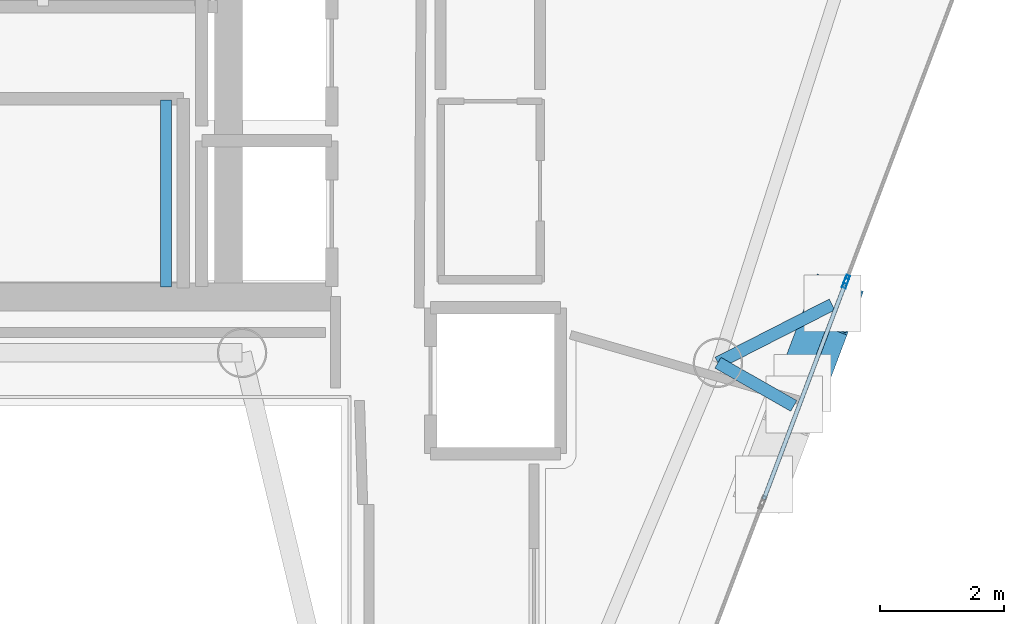
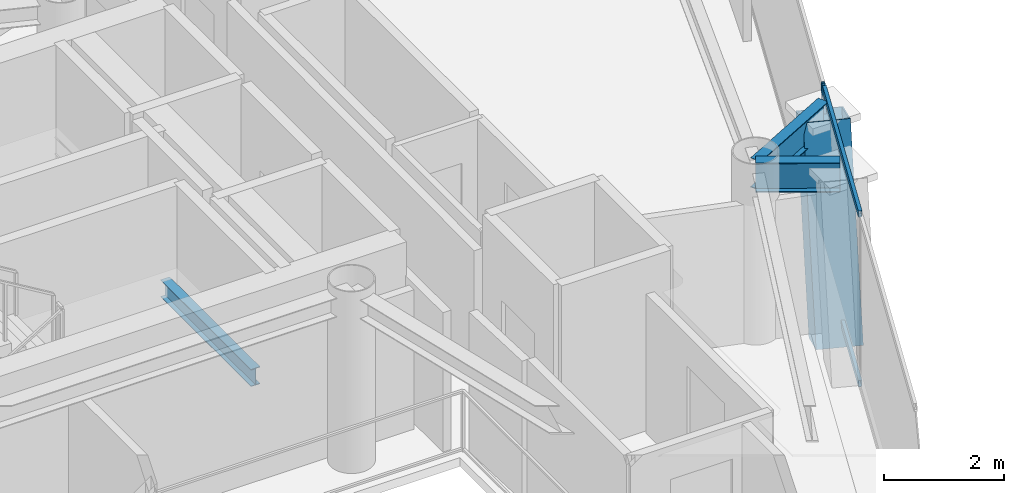
# One storey, part 10 of 19: 5 members, 3 beams, 2 elements without a shape of their own.
"""IFC4 building model written with IfcOpenShell, lengths in metres."""

from ifc_helpers import new_model, si_unit, direction, frame, origin, origin_2d, place, context, subcontext, project, spatial, hollow_rectangle, i_section, extrude, material, layer, layer_set, material_profile, profile_set, type_object, element, aggregate, save


model = new_model("IFC4")

# Units and contexts
model_context = context("Model", 3, precision=1e-05, world=origin(), true_north=direction((0.0, 1.0)))
body_context = subcontext(model_context, "Body", "Model", "MODEL_VIEW")
ifc_project = project(units=[si_unit("LENGTHUNIT", "METRE"), si_unit("AREAUNIT", "SQUARE_METRE"), si_unit("VOLUMEUNIT", "CUBIC_METRE"), si_unit("PLANEANGLEUNIT", "RADIAN"), si_unit("MASSUNIT", "GRAM", prefix="KILO")], contexts=[model_context])

# Site, building, storey
site_placement = place(None, origin())
site = spatial("IfcSite", under=ifc_project, at=site_placement, CompositionType="ELEMENT")
building_placement = place(site_placement, origin())
building = spatial("IfcBuilding", under=site, at=building_placement, Name="Qianvela Tower", CompositionType="ELEMENT")
storey_placement = place(building_placement, frame((0.0, 0.0, 340.699951171875)))
storey = spatial("IfcBuildingStorey", under=building, at=storey_placement, Name="L88", CompositionType="ELEMENT", Elevation=340.699951171875)

# Beams
ifc_material_1 = material(Name="Steel Q355B", Category="steel")
ifc_material_profile_1 = material_profile(ifc_material_1, i_section(OverallWidth=0.175048828125, OverallDepth=0.35009765625, WebThickness=0.007080078125, FlangeThickness=0.010986328125, at=origin_2d()), Name="HN350x175x7x11")
ifc_profile_set_1 = profile_set([ifc_material_profile_1], Name="Steel Q355B")
beam_type_1 = type_object("IfcBeamType", Name="BM-HN350-JOIST", PredefinedType="JOIST", material=ifc_profile_set_1)
beam_1_placement = place(storey_placement, frame((37.169921875, 24.919921875, 1.47509765625), z_axis=(0.0, 1.0, 0.0), x_axis=(-1.0, 0.0, 0.0)))
element("IfcBeam", 1, at=beam_1_placement, inside=storey, type_object=beam_type_1, Name="L88 Stair ST-2 Landing Support Beam 1.2", PredefinedType="JOIST", context=body_context, shape_type="SweptSolid", body=[
    extrude(i_section(OverallWidth=0.175048828125, OverallDepth=0.35009765625, WebThickness=0.007080078125, FlangeThickness=0.010986328125, at=origin_2d()), origin(), (0.0, 0.0, 1.0), 3.02001953125),
])
ifc_material_2 = material(Name="Steel Q355B", Category="steel")
ifc_material_profile_2 = material_profile(ifc_material_2, i_section(OverallWidth=0.199951171875, OverallDepth=0.60009765625, WebThickness=0.010986328125, FlangeThickness=0.01708984375, at=origin_2d()), Name="HN600x200x11x17")
ifc_profile_set_2 = profile_set([ifc_material_profile_2], Name="Steel Q355B")
beam_type_2 = type_object("IfcBeamType", Name="BM-HN600-GIRD", PredefinedType="BEAM", material=ifc_profile_set_2)
beam_2_placement = place(storey_placement, frame((46.094970703125, 23.69091796875, 3.218017578125), z_axis=(0.868998328461, -0.494815021125, 0.0), x_axis=(0.494815021125, 0.868998328461, 0.0)))
element("IfcBeam", 2, at=beam_2_placement, inside=storey, type_object=beam_type_2, Name="L88 Mega-Brace Column Tie Bracket F3-1", PredefinedType="BEAM", context=body_context, shape_type="SweptSolid", body=[
    extrude(i_section(OverallWidth=0.199951171875, OverallDepth=0.60009765625, WebThickness=0.010986328125, FlangeThickness=0.01708984375, at=origin_2d()), origin(), (0.0, 0.0, 1.0), 1.41064453125),
])
beam_3_placement = place(storey_placement, frame((46.094970703125, 23.69091796875, 3.218017578125), z_axis=(0.890719998734, 0.45455239946, 0.0), x_axis=(-0.45455239946, 0.890719998734, 0.0)))
element("IfcBeam", 3, at=beam_3_placement, inside=storey, type_object=beam_type_2, Name="L88 Mega-Brace Column Tie Bracket F3-2", PredefinedType="BEAM", context=body_context, shape_type="SweptSolid", body=[
    extrude(i_section(OverallWidth=0.199951171875, OverallDepth=0.60009765625, WebThickness=0.010986328125, FlangeThickness=0.01708984375, at=origin_2d()), origin(), (0.0, 0.0, 1.0), 2.071533203125),
])

# Curtain wall, members
ifc_material_3 = material(Name="Anodised Architectural Aluminium and Insulated Spandrel Panel", Category="aluminium")
ifc_layer_1 = layer(ifc_material_3, 0.179931640625)
ifc_layer_set_1 = layer_set([ifc_layer_1], Name="Anodised Architectural Aluminium and Insulated Spandrel Panel")
curtain_wall_type_1 = type_object("IfcCurtainWallType", Name="CW-BRACEBAY", PredefinedType="USERDEFINED", material=ifc_layer_set_1)
curtain_wall_1_placement = place(storey_placement, origin())
curtain_wall_1 = element("IfcCurtainWall", 4, at=curtain_wall_1_placement, inside=storey, type_object=curtain_wall_type_1, Name="L88 CW-BRACEBAY Curtain Wall 06B", ObjectType="CURTAIN_WALL_SYSTEM", PredefinedType="USERDEFINED")
ifc_material_4 = material(Name="Anodised Architectural Aluminium 6063-T6", Category="aluminium")
ifc_material_profile_3 = material_profile(ifc_material_4, hollow_rectangle(XDim=0.06494140625, YDim=0.159912109375, WallThickness=0.0048828125, at=origin_2d()), Name="ALU-MULL-65x160")
ifc_profile_set_3 = profile_set([ifc_material_profile_3], Name="Anodised Architectural Aluminium 6063-T6")
member_type_1 = type_object("IfcMemberType", Name="CW-BRACEBAY-MULL", PredefinedType="MULLION", material=ifc_profile_set_3)
member_1_placement = place(storey_placement, frame((48.155517578125, 24.97705078125, 0.0), z_axis=(0.0, 0.0, 1.0), x_axis=(-0.935525215794, 0.353259919343, 0.0)))
member_1 = element("IfcMember", 5, at=member_1_placement, type_object=member_type_1, Name="CW-9 mullion 2", PredefinedType="MULLION", context=body_context, shape_type="SweptSolid", body=[
    extrude(hollow_rectangle(XDim=0.06494140625, YDim=0.159912109375, WallThickness=0.0048828125, at=origin_2d()), origin(), (0.0, 0.0, 1.0), 3.52001953125),
])
ifc_material_5 = material(Name="Anodised Architectural Aluminium 6063-T6", Category="aluminium")
ifc_material_profile_4 = material_profile(ifc_material_5, hollow_rectangle(XDim=0.06494140625, YDim=0.1298828125, WallThickness=0.00439453125, at=origin_2d()), Name="ALU-TRAN-65x130")
ifc_profile_set_4 = profile_set([ifc_material_profile_4], Name="Anodised Architectural Aluminium 6063-T6")
member_type_2 = type_object("IfcMemberType", Name="CW-BRACEBAY-TRAN", PredefinedType="USERDEFINED", material=ifc_profile_set_4)
member_2_placement = place(storey_placement, frame((46.837158203125, 21.485107421875, 0.032470703125), z_axis=(0.35321962991, 0.935540428333, 0.0), x_axis=(-0.935540428333, 0.35321962991, 0.0)))
member_2 = element("IfcMember", 6, at=member_2_placement, type_object=member_type_2, Name="CW-9 transom 1.1", ObjectType="TRANSOM", PredefinedType="USERDEFINED", context=body_context, shape_type="SweptSolid", body=[
    extrude(hollow_rectangle(XDim=0.06494140625, YDim=0.1298828125, WallThickness=0.00439453125, at=origin_2d()), origin(), (0.0, 0.0, 1.0), 3.699951171875),
])
member_3_placement = place(storey_placement, frame((46.837158203125, 21.485107421875, 3.487548828125), z_axis=(0.35321962991, 0.935540428333, 0.0), x_axis=(-0.935540428333, 0.35321962991, 0.0)))
member_3 = element("IfcMember", 7, at=member_3_placement, type_object=member_type_2, Name="CW-9 transom 1.2", ObjectType="TRANSOM", PredefinedType="USERDEFINED", context=body_context, shape_type="SweptSolid", body=[
    extrude(hollow_rectangle(XDim=0.06494140625, YDim=0.1298828125, WallThickness=0.00439453125, at=origin_2d()), origin(), (0.0, 0.0, 1.0), 3.699951171875),
])
aggregate(curtain_wall_1, [member_1, member_2, member_3])

# Curtain wall, member
ifc_material_6 = material(Name="Anodised Architectural Aluminium and Low-E Glass", Category="aluminium")
ifc_layer_2 = layer(ifc_material_6, 0.14990234375)
ifc_layer_set_2 = layer_set([ifc_layer_2], Name="Anodised Architectural Aluminium and Low-E Glass")
curtain_wall_type_2 = type_object("IfcCurtainWallType", Name="CW-COLIV-Z78", PredefinedType="USERDEFINED", material=ifc_layer_set_2)
curtain_wall_2_placement = place(storey_placement, origin())
curtain_wall_2 = element("IfcCurtainWall", 8, at=curtain_wall_2_placement, inside=storey, type_object=curtain_wall_type_2, Name="L88 CW-COLIV-Z78 Curtain Wall 06C", ObjectType="CURTAIN_WALL_SYSTEM", PredefinedType="USERDEFINED")
ifc_material_7 = material(Name="Anodised Architectural Aluminium 6063-T6", Category="aluminium")
ifc_material_profile_5 = material_profile(ifc_material_7, hollow_rectangle(XDim=0.06005859375, YDim=0.139892578125, WallThickness=0.00439453125, at=origin_2d()), Name="ALU-MULL-60x140")
ifc_profile_set_5 = profile_set([ifc_material_profile_5], Name="Anodised Architectural Aluminium 6063-T6")
member_type_3 = type_object("IfcMemberType", Name="CW-COLIV-Z78-MULL", PredefinedType="MULLION", material=ifc_profile_set_5)
member_4_placement = place(storey_placement, frame((48.177734375, 25.035400390625, 0.0), z_axis=(0.0, 0.0, 1.0), x_axis=(-0.935524249772, 0.353262477612, 0.0)))
member_4 = element("IfcMember", 9, at=member_4_placement, type_object=member_type_3, Name="CW-6 mullion 1", PredefinedType="MULLION", context=body_context, shape_type="SweptSolid", body=[
    extrude(hollow_rectangle(XDim=0.06005859375, YDim=0.139892578125, WallThickness=0.00439453125, at=origin_2d()), origin(), (0.0, 0.0, 1.0), 3.52001953125),
])
aggregate(curtain_wall_2, [member_4])

# Member
ifc_material_8 = material(Name="Steel Q420GJC", Category="steel")
ifc_material_profile_6 = material_profile(ifc_material_8, hollow_rectangle(XDim=0.800048828125, YDim=0.800048828125, WallThickness=0.028076171875, at=origin_2d()), Name="MBOX-800x800x28")
ifc_profile_set_6 = profile_set([ifc_material_profile_6], Name="Steel Q420GJC")
member_type_4 = type_object("IfcMemberType", Name="MBR-MBRACE-800", PredefinedType="BRACE", material=ifc_profile_set_6)
member_5_placement = place(storey_placement, frame((47.4677734375, 23.3818359375, -0.48193359375), z_axis=(0.120081365333, 0.317920844755, 0.940482217892), x_axis=(-0.935493556502, 0.353343750113, 0.0)))
element("IfcMember", 10, at=member_5_placement, inside=storey, type_object=member_type_4, Name="L88 Tier 14 Exterior Mega-Brace F3B", PredefinedType="BRACE", context=body_context, shape_type="SweptSolid", body=[
    extrude(hollow_rectangle(XDim=0.800048828125, YDim=0.800048828125, WallThickness=0.028076171875, at=origin_2d()), origin(), (0.0, 0.0, 1.0), 3.93408203125),
])

save(model, "model.ifc")
